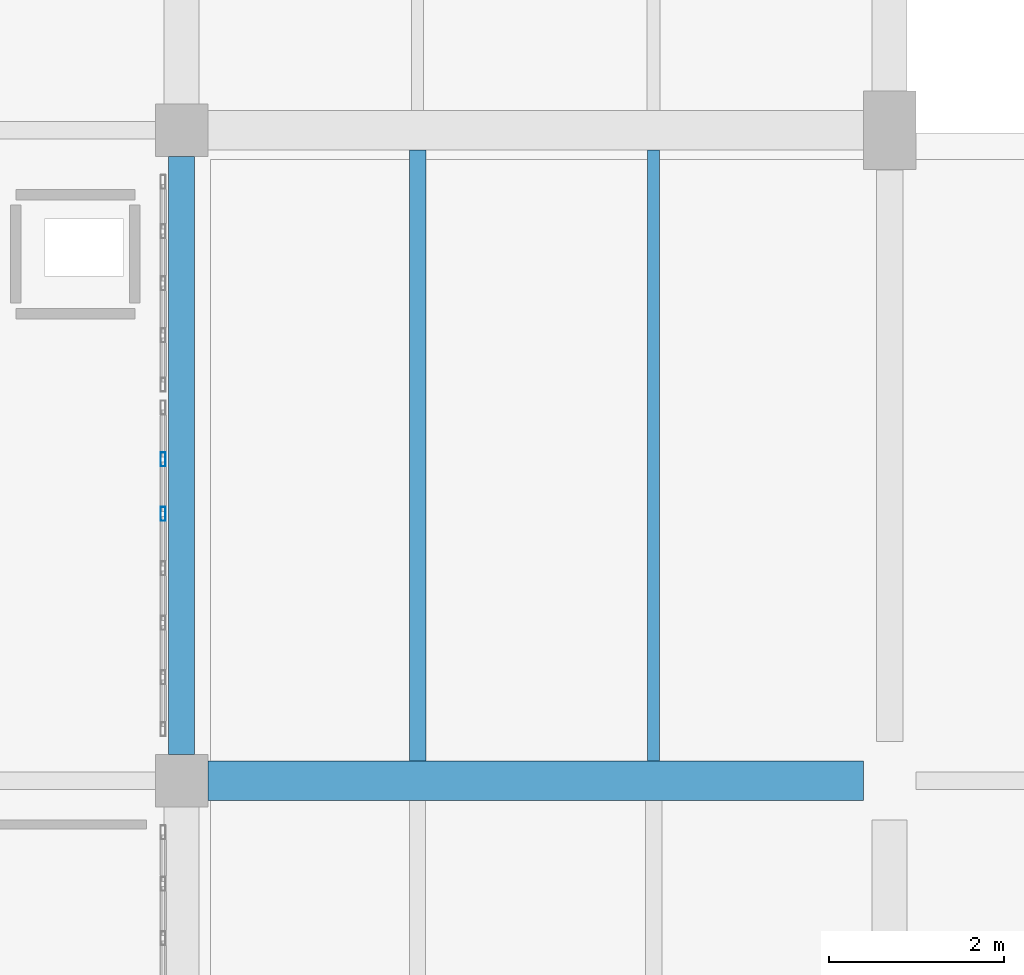
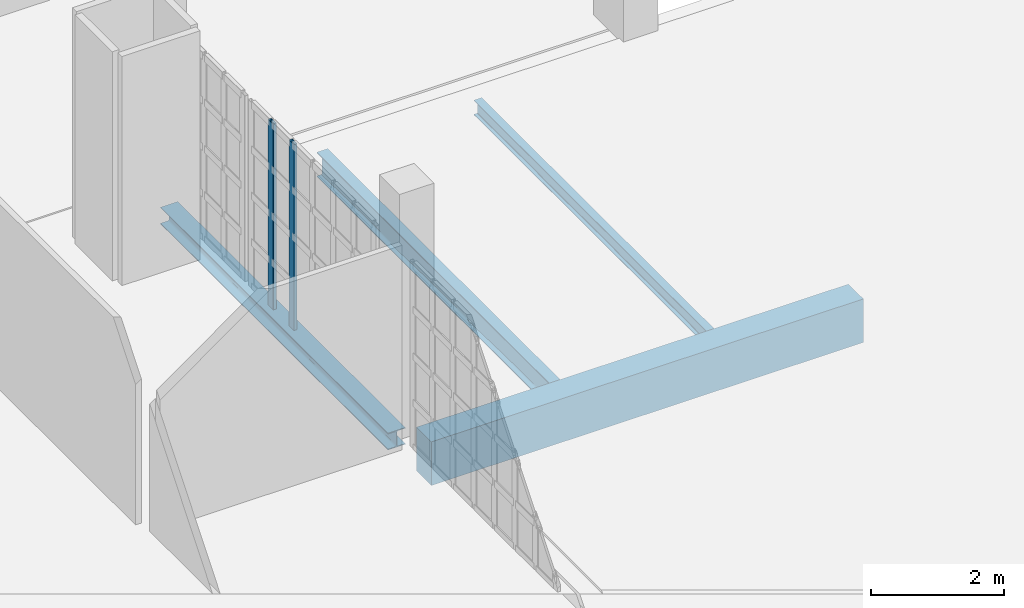
# One storey, part 29 of 73: 4 beams, 2 members, 1 element without a shape of its own.
"""IFC4 building model written with IfcOpenShell, lengths in metres."""

from ifc_helpers import new_model, si_unit, direction, frame, origin, origin_2d, place, context, subcontext, project, spatial, rectangle, hollow_rectangle, i_section, extrude, material, material_profile, profile_set, type_object, element, aggregate, save


model = new_model("IFC4")

# Units and contexts
model_context = context("Model", 3, precision=1e-05, world=origin(), true_north=direction((0.0, 1.0)))
body_context = subcontext(model_context, "Body", "Model", "MODEL_VIEW")
ifc_project = project(units=[si_unit("LENGTHUNIT", "METRE"), si_unit("AREAUNIT", "SQUARE_METRE"), si_unit("VOLUMEUNIT", "CUBIC_METRE"), si_unit("PLANEANGLEUNIT", "RADIAN"), si_unit("MASSUNIT", "GRAM", prefix="KILO")], contexts=[model_context])

# Site, building, storey
site_placement = place(None, origin())
site = spatial("IfcSite", under=ifc_project, at=site_placement, CompositionType="ELEMENT")
building_placement = place(site_placement, origin())
building = spatial("IfcBuilding", under=site, at=building_placement, Name="Kaelora Sail Theatre", CompositionType="ELEMENT")
storey_placement = place(building_placement, frame((0.0, 0.0, 10.199951171875)))
storey = spatial("IfcBuildingStorey", under=building, at=storey_placement, Name="L02", CompositionType="ELEMENT", Elevation=10.199951171875)

# Curtain wall, members
ifc_material_1 = material(Name="Anodised aluminium and solar-control low-E IGU", Category="aluminium")
curtain_wall_type = type_object("IfcCurtainWallType", Name="ARC-CW-CW-BRG", PredefinedType="NOTDEFINED", material=ifc_material_1)
curtain_wall_placement = place(storey_placement, origin())
curtain_wall = element("IfcCurtainWall", 1, at=curtain_wall_placement, inside=storey, type_object=curtain_wall_type, Name="Glazed Colonnade/Courtyard Curtain Wall FC2-STEP-E-L02-03", PredefinedType="NOTDEFINED")
ifc_material_2 = material(Name="Anodised aluminium 6063-T6", Category="aluminium")
ifc_material_profile_1 = material_profile(ifc_material_2, hollow_rectangle(XDim=0.06005859375, YDim=0.159912109375, WallThickness=0.00390625, InnerFilletRadius=0.00390625, OuterFilletRadius=0.008056640625, at=origin_2d()), Name="ALU-MULL 60x160x4")
ifc_profile_set_1 = profile_set([ifc_material_profile_1], Name="Anodised aluminium 6063-T6")
member_type = type_object("IfcMemberType", Name="ARC-MEM-ML-160", PredefinedType="MULLION", material=ifc_profile_set_1)
member_1_placement = place(storey_placement, frame((122.7900390625, 78.953369140625, 0.0), z_axis=(0.0, 0.0, 1.0), x_axis=(-1.0, 0.0, 0.0)))
member_1 = element("IfcMember", 2, at=member_1_placement, type_object=member_type, Name="CW-BRG mullion 5", PredefinedType="MULLION", context=body_context, shape_type="SweptSolid", body=[
    extrude(hollow_rectangle(XDim=0.06005859375, YDim=0.159912109375, WallThickness=0.00390625, InnerFilletRadius=0.00390625, OuterFilletRadius=0.008056640625, at=origin_2d()), origin(), (0.0, 0.0, 1.0), 3.406982421875),
])
member_2_placement = place(storey_placement, frame((122.7900390625, 79.57666015625, 0.0), z_axis=(0.0, 0.0, 1.0), x_axis=(-1.0, 0.0, 0.0)))
member_2 = element("IfcMember", 3, at=member_2_placement, type_object=member_type, Name="CW-BRG mullion 6", PredefinedType="MULLION", context=body_context, shape_type="SweptSolid", body=[
    extrude(hollow_rectangle(XDim=0.06005859375, YDim=0.159912109375, WallThickness=0.00390625, InnerFilletRadius=0.00390625, OuterFilletRadius=0.008056640625, at=origin_2d()), origin(), (0.0, 0.0, 1.0), 3.406982421875),
])
aggregate(curtain_wall, [member_1, member_2])

# Beams
ifc_material_3 = material(Name="Steel S355", Category="steel")
ifc_material_profile_2 = material_profile(ifc_material_3, i_section(OverallWidth=0.300048828125, OverallDepth=0.31005859375, WebThickness=0.009033203125, FlangeThickness=0.015380859375, FilletRadius=0.027099609375, at=origin_2d()), Name="HEA 320")
ifc_profile_set_2 = profile_set([ifc_material_profile_2], Name="Steel S355")
beam_type_1 = type_object("IfcBeamType", Name="STR-BM-BM-HEA320", PredefinedType="BEAM", material=ifc_profile_set_2)
beam_1_placement = place(storey_placement, frame((123.0, 76.199951171875, -0.449951171875), z_axis=(0.0, 1.0, 0.0), x_axis=(-1.0, 0.0, 0.0)))
element("IfcBeam", 4, at=beam_1_placement, inside=storey, type_object=beam_type_1, Name="Primary beam 16 K-L (L02)", PredefinedType="BEAM", context=body_context, shape_type="SweptSolid", body=[
    extrude(i_section(OverallWidth=0.300048828125, OverallDepth=0.31005859375, WebThickness=0.009033203125, FlangeThickness=0.015380859375, FilletRadius=0.027099609375, at=origin_2d()), origin(), (0.0, 0.0, 1.0), 6.840087890625),
])
ifc_material_4 = material(Name="Steel S355", Category="steel")
ifc_material_profile_3 = material_profile(ifc_material_4, i_section(OverallWidth=0.18994140625, OverallDepth=0.449951171875, WebThickness=0.009521484375, FlangeThickness=0.0146484375, FilletRadius=0.02099609375, at=origin_2d()), Name="IPE 450")
ifc_profile_set_3 = profile_set([ifc_material_profile_3], Name="Steel S355")
beam_type_2 = type_object("IfcBeamType", Name="STR-BM-BM-IPE450", PredefinedType="BEAM", material=ifc_profile_set_3)
beam_2_placement = place(storey_placement, frame((125.699951171875, 76.125, -0.52001953125), z_axis=(0.0, 1.0, 0.0), x_axis=(-1.0, 0.0, 0.0)))
element("IfcBeam", 5, at=beam_2_placement, inside=storey, type_object=beam_type_2, Name="Secondary floor joist 16/K-1 (L02)", PredefinedType="BEAM", context=body_context, shape_type="SweptSolid", body=[
    extrude(i_section(OverallWidth=0.18994140625, OverallDepth=0.449951171875, WebThickness=0.009521484375, FlangeThickness=0.0146484375, FilletRadius=0.02099609375, at=origin_2d()), origin(), (0.0, 0.0, 1.0), 6.989990234375),
])
ifc_material_5 = material(Name="Concrete C45/55", Category="concrete")
ifc_material_profile_4 = material_profile(ifc_material_5, rectangle(XDim=0.449951171875, YDim=0.800048828125, at=origin_2d()), Name="RC-BM 450x800")
ifc_profile_set_4 = profile_set([ifc_material_profile_4], Name="Concrete C45/55")
beam_type_3 = type_object("IfcBeamType", Name="STR-BM-BM-RC4580", PredefinedType="BEAM", material=ifc_profile_set_4)
beam_3_placement = place(storey_placement, frame((123.300048828125, 75.89990234375, -0.695068359375), z_axis=(1.0, 0.0, 0.0), x_axis=(0.0, 1.0, 0.0)))
element("IfcBeam", 6, at=beam_3_placement, inside=storey, type_object=beam_type_3, Name="Primary beam K 16-17 (L02)", PredefinedType="BEAM", context=body_context, shape_type="SweptSolid", body=[
    extrude(rectangle(XDim=0.449951171875, YDim=0.800048828125, at=origin_2d()), origin(), (0.0, 0.0, 1.0), 7.5),
])
ifc_material_6 = material(Name="Steel S355", Category="steel")
ifc_material_profile_5 = material_profile(ifc_material_6, i_section(OverallWidth=0.135009765625, OverallDepth=0.27001953125, WebThickness=0.006591796875, FlangeThickness=0.01025390625, FilletRadius=0.014892578125, at=origin_2d()), Name="IPE 270")
ifc_profile_set_5 = profile_set([ifc_material_profile_5], Name="Steel S355")
beam_type_4 = type_object("IfcBeamType", Name="STR-BM-JS-IPE270", PredefinedType="JOIST", material=ifc_profile_set_5)
beam_4_placement = place(storey_placement, frame((128.39990234375, 76.125, -0.429931640625), z_axis=(0.0, 1.0, 0.0), x_axis=(-1.0, 0.0, 0.0)))
element("IfcBeam", 7, at=beam_4_placement, inside=storey, type_object=beam_type_4, Name="Secondary floor joist 16/K-2 (L02)", PredefinedType="JOIST", context=body_context, shape_type="SweptSolid", body=[
    extrude(i_section(OverallWidth=0.135009765625, OverallDepth=0.27001953125, WebThickness=0.006591796875, FlangeThickness=0.01025390625, FilletRadius=0.014892578125, at=origin_2d()), origin(), (0.0, 0.0, 1.0), 6.989990234375),
])

save(model, "model.ifc")
